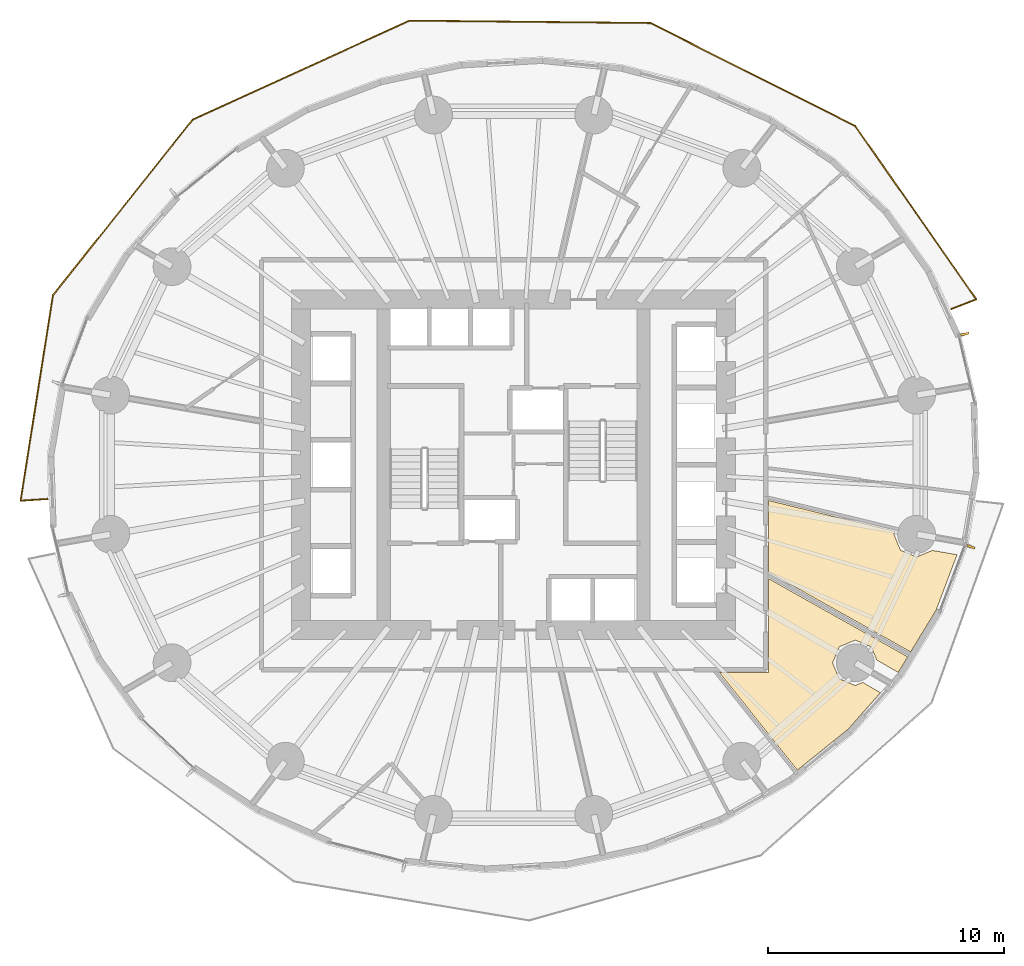
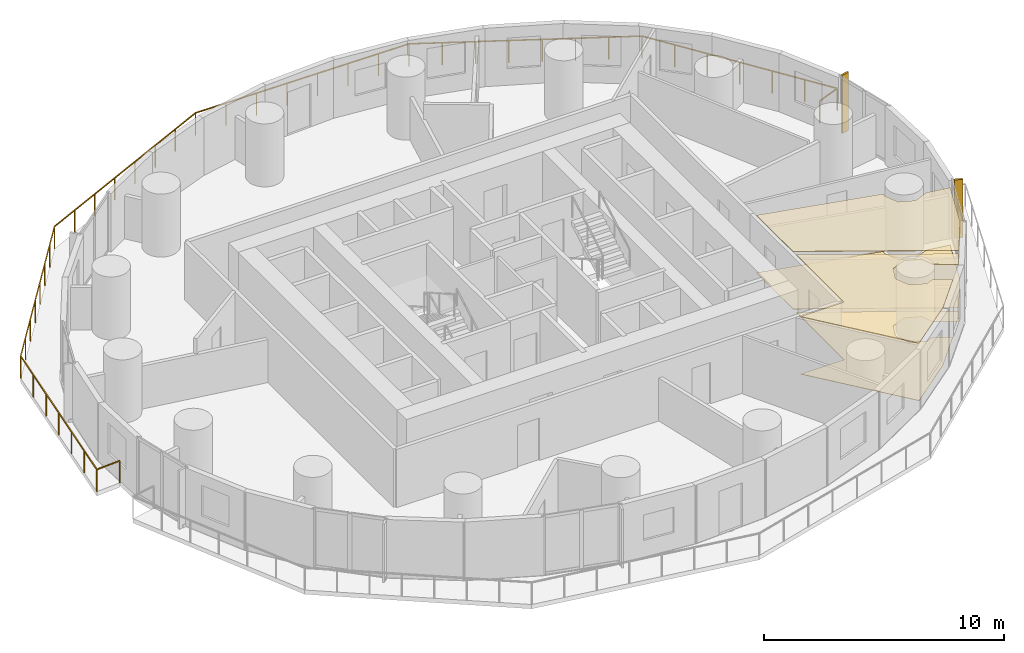
# One storey, part 14 of 14: 4 coverings, 2 shading devices, 1 railing.
"""IFC4 building model written with IfcOpenShell, lengths in metres."""

from ifc_helpers import new_model, si_unit, direction, frame, origin, origin_2d, place, context, subcontext, project, spatial, polyline, rectangle, outline, extrude, material, layer, layer_set, type_object, element, save


model = new_model("IFC4")

# Units and contexts
model_context = context("Model", 3, precision=1e-05, world=origin(), true_north=direction((0.0, 1.0)))
body_context = subcontext(model_context, "Body", "Model", "MODEL_VIEW")
ifc_project = project(units=[si_unit("LENGTHUNIT", "METRE"), si_unit("AREAUNIT", "SQUARE_METRE"), si_unit("VOLUMEUNIT", "CUBIC_METRE"), si_unit("PLANEANGLEUNIT", "RADIAN"), si_unit("MASSUNIT", "GRAM", prefix="KILO")], contexts=[model_context])

# Site, building, storey
site_placement = place(None, origin())
site = spatial("IfcSite", under=ifc_project, at=site_placement, CompositionType="ELEMENT")
building_placement = place(site_placement, origin())
building = spatial("IfcBuilding", under=site, at=building_placement, Name="Veldorim Arch Residences", CompositionType="ELEMENT")
storey_placement = place(building_placement, frame((0.0, 0.0, 40.800048828125)))
storey = spatial("IfcBuildingStorey", under=building, at=storey_placement, Name="L11", CompositionType="ELEMENT", Elevation=40.800048828125)

# Railing
ifc_material_1 = material(Name="Aluminium", Category="aluminium")
railing_type = type_object("IfcRailingType", Name="Balcony & Terrace Laminated Glass Balustrade 1150", PredefinedType="BALUSTRADE", material=ifc_material_1)
railing_placement = place(storey_placement, frame((50.525390625, 30.588134765625, 0.0)))
element("IfcRailing", 1, at=railing_placement, inside=storey, type_object=railing_type, Name="L11 crescent balcony safety balustrade A", PredefinedType="BALUSTRADE", context=body_context, shape_type="SweptSolid", body=[
    extrude(rectangle(XDim=0.048095703125, YDim=0.048095703125, at=origin_2d()), frame((0.0, 0.0, 1.1259765625), z_axis=(0.931433736777, 0.363910969874, 0.0), x_axis=(-0.363910969874, 0.931433736777, 0.0)), (0.0, 0.0, 1.0), 1.14990234375),
    extrude(rectangle(XDim=0.048095703125, YDim=0.048095703125, at=origin_2d()), frame((1.071044921875, 0.41845703125, 1.1259765625), z_axis=(-0.572673819905, 0.819783322589, 0.0), x_axis=(-0.819783322589, -0.572673819905, 0.0)), (0.0, 0.0, 1.0), 8.958984375),
    extrude(rectangle(XDim=0.048095703125, YDim=0.048095703125, at=origin_2d()), frame((-4.0595703125, 7.762939453125, 1.1259765625), z_axis=(-0.893514947869, 0.449033448569, 0.0), x_axis=(-0.449033448569, -0.893514947869, 0.0)), (0.0, 0.0, 1.0), 9.707763671875),
    extrude(rectangle(XDim=0.048095703125, YDim=0.048095703125, at=origin_2d()), frame((-12.733642578125, 12.1220703125, 1.1259765625), z_axis=(-0.999950400353, 0.009959760728, 0.0), x_axis=(-0.009959760728, -0.999950400353, 0.0)), (0.0, 0.0, 1.0), 10.197265625),
    extrude(rectangle(XDim=0.048095703125, YDim=0.048095703125, at=origin_2d()), frame((-22.930419921875, 12.2236328125, 1.1259765625), z_axis=(-0.909674311993, -0.415322339995, 0.0), x_axis=(0.415322339995, -0.909674311993, 0.0)), (0.0, 0.0, 1.0), 10.10498046875),
    extrude(rectangle(XDim=0.048095703125, YDim=0.048095703125, at=origin_2d()), frame((-32.12255859375, 8.02685546875, 1.1259765625), z_axis=(-0.622684493297, -0.782473016664, 0.0), x_axis=(0.782473016664, -0.622684493297, 0.0)), (0.0, 0.0, 1.0), 9.501953125),
    extrude(rectangle(XDim=0.048095703125, YDim=0.048095703125, at=origin_2d()), frame((-38.039306640625, 0.591796875, 1.1259765625), z_axis=(-0.155384980958, -0.98785399108, 0.0), x_axis=(0.98785399108, -0.155384980958, 0.0)), (0.0, 0.0, 1.0), 8.812744140625),
    extrude(rectangle(XDim=0.048095703125, YDim=0.048095703125, at=origin_2d()), frame((-39.40869140625, -8.114013671875, 1.1259765625), z_axis=(0.997929266712, 0.064320903598, 0.0), x_axis=(-0.064320903598, 0.997929266712, 0.0)), (0.0, 0.0, 1.0), 1.150146484375),
    extrude(rectangle(XDim=0.0419921875, YDim=0.0419921875, at=origin_2d()), origin(), (0.0, 0.0, 1.0), 1.101806640625),
    extrude(rectangle(XDim=0.0419921875, YDim=0.0419921875, at=origin_2d()), frame((1.071044921875, 0.41845703125, 0.0)), (0.0, 0.0, 1.0), 1.101806640625),
    extrude(rectangle(XDim=0.0419921875, YDim=0.0419921875, at=origin_2d()), frame((0.2158203125, 1.642578125, 0.0)), (0.0, 0.0, 1.0), 1.101806640625),
    extrude(rectangle(XDim=0.0419921875, YDim=0.0419921875, at=origin_2d()), frame((-0.63916015625, 2.86669921875, 0.0)), (0.0, 0.0, 1.0), 1.101806640625),
    extrude(rectangle(XDim=0.0419921875, YDim=0.0419921875, at=origin_2d()), frame((-1.494140625, 4.0908203125, 0.0)), (0.0, 0.0, 1.0), 1.101806640625),
    extrude(rectangle(XDim=0.0419921875, YDim=0.0419921875, at=origin_2d()), frame((-2.349365234375, 5.314697265625, 0.0)), (0.0, 0.0, 1.0), 1.101806640625),
    extrude(rectangle(XDim=0.0419921875, YDim=0.0419921875, at=origin_2d()), frame((-3.20458984375, 6.538818359375, 0.0)), (0.0, 0.0, 1.0), 1.101806640625),
    extrude(rectangle(XDim=0.0419921875, YDim=0.0419921875, at=origin_2d()), frame((-4.0595703125, 7.762939453125, 0.0)), (0.0, 0.0, 1.0), 1.101806640625),
    extrude(rectangle(XDim=0.0419921875, YDim=0.0419921875, at=origin_2d()), frame((-5.298828125, 8.3857421875, 0.0)), (0.0, 0.0, 1.0), 1.101806640625),
    extrude(rectangle(XDim=0.0419921875, YDim=0.0419921875, at=origin_2d()), frame((-6.537841796875, 9.00830078125, 0.0)), (0.0, 0.0, 1.0), 1.101806640625),
    extrude(rectangle(XDim=0.0419921875, YDim=0.0419921875, at=origin_2d()), frame((-7.777099609375, 9.631103515625, 0.0)), (0.0, 0.0, 1.0), 1.101806640625),
    extrude(rectangle(XDim=0.0419921875, YDim=0.0419921875, at=origin_2d()), frame((-9.01611328125, 10.25390625, 0.0)), (0.0, 0.0, 1.0), 1.101806640625),
    extrude(rectangle(XDim=0.0419921875, YDim=0.0419921875, at=origin_2d()), frame((-10.25537109375, 10.876708984375, 0.0)), (0.0, 0.0, 1.0), 1.101806640625),
    extrude(rectangle(XDim=0.0419921875, YDim=0.0419921875, at=origin_2d()), frame((-11.494384765625, 11.499267578125, 0.0)), (0.0, 0.0, 1.0), 1.101806640625),
    extrude(rectangle(XDim=0.0419921875, YDim=0.0419921875, at=origin_2d()), frame((-12.733642578125, 12.1220703125, 0.0)), (0.0, 0.0, 1.0), 1.101806640625),
    extrude(rectangle(XDim=0.0419921875, YDim=0.0419921875, at=origin_2d()), frame((-14.1904296875, 12.136474609375, 0.0)), (0.0, 0.0, 1.0), 1.101806640625),
    extrude(rectangle(XDim=0.0419921875, YDim=0.0419921875, at=origin_2d()), frame((-15.64697265625, 12.151123046875, 0.0)), (0.0, 0.0, 1.0), 1.101806640625),
    extrude(rectangle(XDim=0.0419921875, YDim=0.0419921875, at=origin_2d()), frame((-17.103759765625, 12.16552734375, 0.0)), (0.0, 0.0, 1.0), 1.101806640625),
    extrude(rectangle(XDim=0.0419921875, YDim=0.0419921875, at=origin_2d()), frame((-18.560302734375, 12.18017578125, 0.0)), (0.0, 0.0, 1.0), 1.101806640625),
    extrude(rectangle(XDim=0.0419921875, YDim=0.0419921875, at=origin_2d()), frame((-20.01708984375, 12.194580078125, 0.0)), (0.0, 0.0, 1.0), 1.101806640625),
    extrude(rectangle(XDim=0.0419921875, YDim=0.0419921875, at=origin_2d()), frame((-21.4736328125, 12.209228515625, 0.0)), (0.0, 0.0, 1.0), 1.101806640625),
    extrude(rectangle(XDim=0.0419921875, YDim=0.0419921875, at=origin_2d()), frame((-22.930419921875, 12.2236328125, 0.0)), (0.0, 0.0, 1.0), 1.101806640625),
    extrude(rectangle(XDim=0.0419921875, YDim=0.0419921875, at=origin_2d()), frame((-24.24365234375, 11.6240234375, 0.0)), (0.0, 0.0, 1.0), 1.101806640625),
    extrude(rectangle(XDim=0.0419921875, YDim=0.0419921875, at=origin_2d()), frame((-25.556640625, 11.024658203125, 0.0)), (0.0, 0.0, 1.0), 1.101806640625),
    extrude(rectangle(XDim=0.0419921875, YDim=0.0419921875, at=origin_2d()), frame((-26.869873046875, 10.425048828125, 0.0)), (0.0, 0.0, 1.0), 1.101806640625),
    extrude(rectangle(XDim=0.0419921875, YDim=0.0419921875, at=origin_2d()), frame((-28.18310546875, 9.825439453125, 0.0)), (0.0, 0.0, 1.0), 1.101806640625),
    extrude(rectangle(XDim=0.0419921875, YDim=0.0419921875, at=origin_2d()), frame((-29.496337890625, 9.225830078125, 0.0)), (0.0, 0.0, 1.0), 1.101806640625),
    extrude(rectangle(XDim=0.0419921875, YDim=0.0419921875, at=origin_2d()), frame((-30.809326171875, 8.62646484375, 0.0)), (0.0, 0.0, 1.0), 1.101806640625),
    extrude(rectangle(XDim=0.0419921875, YDim=0.0419921875, at=origin_2d()), frame((-32.12255859375, 8.02685546875, 0.0)), (0.0, 0.0, 1.0), 1.101806640625),
    extrude(rectangle(XDim=0.0419921875, YDim=0.0419921875, at=origin_2d()), frame((-32.9677734375, 6.964599609375, 0.0)), (0.0, 0.0, 1.0), 1.101806640625),
    extrude(rectangle(XDim=0.0419921875, YDim=0.0419921875, at=origin_2d()), frame((-33.81298828125, 5.902587890625, 0.0)), (0.0, 0.0, 1.0), 1.101806640625),
    extrude(rectangle(XDim=0.0419921875, YDim=0.0419921875, at=origin_2d()), frame((-34.658203125, 4.84033203125, 0.0)), (0.0, 0.0, 1.0), 1.101806640625),
    extrude(rectangle(XDim=0.0419921875, YDim=0.0419921875, at=origin_2d()), frame((-35.503662109375, 3.7783203125, 0.0)), (0.0, 0.0, 1.0), 1.101806640625),
    extrude(rectangle(XDim=0.0419921875, YDim=0.0419921875, at=origin_2d()), frame((-36.348876953125, 2.716064453125, 0.0)), (0.0, 0.0, 1.0), 1.101806640625),
    extrude(rectangle(XDim=0.0419921875, YDim=0.0419921875, at=origin_2d()), frame((-37.194091796875, 1.654052734375, 0.0)), (0.0, 0.0, 1.0), 1.101806640625),
    extrude(rectangle(XDim=0.0419921875, YDim=0.0419921875, at=origin_2d()), frame((-38.039306640625, 0.591796875, 0.0)), (0.0, 0.0, 1.0), 1.101806640625),
    extrude(rectangle(XDim=0.0419921875, YDim=0.0419921875, at=origin_2d()), frame((-38.267578125, -0.859130859375, 0.0)), (0.0, 0.0, 1.0), 1.101806640625),
    extrude(rectangle(XDim=0.0419921875, YDim=0.0419921875, at=origin_2d()), frame((-38.495849609375, -2.31005859375, 0.0)), (0.0, 0.0, 1.0), 1.101806640625),
    extrude(rectangle(XDim=0.0419921875, YDim=0.0419921875, at=origin_2d()), frame((-38.72412109375, -3.76123046875, 0.0)), (0.0, 0.0, 1.0), 1.101806640625),
    extrude(rectangle(XDim=0.0419921875, YDim=0.0419921875, at=origin_2d()), frame((-38.9521484375, -5.212158203125, 0.0)), (0.0, 0.0, 1.0), 1.101806640625),
    extrude(rectangle(XDim=0.0419921875, YDim=0.0419921875, at=origin_2d()), frame((-39.180419921875, -6.6630859375, 0.0)), (0.0, 0.0, 1.0), 1.101806640625),
    extrude(rectangle(XDim=0.0419921875, YDim=0.0419921875, at=origin_2d()), frame((-39.40869140625, -8.114013671875, 0.0)), (0.0, 0.0, 1.0), 1.101806640625),
    extrude(rectangle(XDim=0.0419921875, YDim=0.0419921875, at=origin_2d()), frame((-38.260986328125, -8.0400390625, 0.0)), (0.0, 0.0, 1.0), 1.101806640625),
])

# Coverings
ifc_material_2 = material(Name="Acoustic Gypsum & Mineral Fibre", Category="gypsum")
ifc_layer_1 = layer(ifc_material_2, 0.034912109375, Name="Perforated Acoustic Mineral-Fibre Ceiling 35")
ifc_layer_set_1 = layer_set([ifc_layer_1], Name="Acoustic Gypsum & Mineral Fibre")
covering_type_1 = type_object("IfcCoveringType", Name="Perforated Acoustic Mineral-Fibre Ceiling 35", PredefinedType="CEILING", material=ifc_layer_set_1)
covering_1_placement = place(storey_placement, frame((0.0, 0.0, 2.905029296875)))
element("IfcCovering", 2, at=covering_1_placement, inside=storey, type_object=covering_type_1, Name="L11 acoustic suspended ceiling 01", PredefinedType="CEILING", context=body_context, shape_type="SweptSolid", body=[
    extrude(outline(polyline([(49.065673828125, 20.09423828125), (49.73291015625, 20.37060546875), (50.779296875, 20.18994140625), (49.89501953125, 17.84521484375), (48.8154296875, 16.070556640625), (42.800048828125, 19.44873046875), (42.800048828125, 22.48291015625), (48.157470703125, 21.178955078125), (48.105712890625, 21.05419921875), (48.386962890625, 20.37548828125), (49.065673828125, 20.09423828125)])), origin(), (0.0, 0.0, 1.0), 0.034912109375),
])
covering_2_placement = place(storey_placement, frame((0.0, 0.0, 2.905029296875)))
element("IfcCovering", 3, at=covering_2_placement, inside=storey, type_object=covering_type_1, Name="L11 acoustic suspended ceiling 02", PredefinedType="CEILING", context=body_context, shape_type="SweptSolid", body=[
    extrude(outline(polyline([(47.146240234375, 16.28955078125), (46.467529296875, 16.57080078125), (45.788818359375, 16.28955078125), (45.5078125, 15.61083984375), (45.788818359375, 14.93212890625), (46.467529296875, 14.65087890625), (46.781982421875, 14.78125), (47.53369140625, 14.345458984375), (46.169921875, 12.801513671875), (44.016357421875, 11.06591796875), (40.71533203125, 15.199951171875), (42.800048828125, 15.199951171875), (42.800048828125, 19.173583984375), (48.690673828125, 15.865478515625), (48.28759765625, 15.202880859375), (47.3779296875, 15.730224609375), (47.146240234375, 16.28955078125)])), origin(), (0.0, 0.0, 1.0), 0.034912109375),
])
ifc_material_3 = material(Name="Porcelain Ceramic Tile", Category="ceramic")
ifc_layer_2 = layer(ifc_material_3, 0.02001953125, Name="Slip-Resistant Porcelain & Vinyl Floor Finish 20")
ifc_layer_set_2 = layer_set([ifc_layer_2], Name="Porcelain Ceramic Tile")
covering_type_2 = type_object("IfcCoveringType", Name="Slip-Resistant Porcelain & Vinyl Floor Finish 20", PredefinedType="FLOORING", material=ifc_layer_set_2)
covering_3_placement = place(storey_placement, origin())
element("IfcCovering", 4, at=covering_3_placement, inside=storey, type_object=covering_type_2, Name="L11 porcelain floor finish 01", PredefinedType="FLOORING", context=body_context, shape_type="SweptSolid", body=[
    extrude(outline(polyline([(49.065673828125, 20.09423828125), (49.73291015625, 20.37060546875), (50.779296875, 20.18994140625), (49.89501953125, 17.84521484375), (48.8154296875, 16.070556640625), (42.800048828125, 19.44873046875), (42.800048828125, 22.48291015625), (48.157470703125, 21.178955078125), (48.105712890625, 21.05419921875), (48.386962890625, 20.37548828125), (49.065673828125, 20.09423828125)])), origin(), (0.0, 0.0, 1.0), 0.02001953125),
])
covering_4_placement = place(storey_placement, origin())
element("IfcCovering", 5, at=covering_4_placement, inside=storey, type_object=covering_type_2, Name="L11 porcelain floor finish 02", PredefinedType="FLOORING", context=body_context, shape_type="SweptSolid", body=[
    extrude(outline(polyline([(47.146240234375, 16.28955078125), (46.467529296875, 16.57080078125), (45.788818359375, 16.28955078125), (45.5078125, 15.61083984375), (45.788818359375, 14.93212890625), (46.467529296875, 14.65087890625), (46.781982421875, 14.78125), (47.53369140625, 14.345458984375), (46.169921875, 12.801513671875), (44.016357421875, 11.06591796875), (40.71533203125, 15.199951171875), (42.800048828125, 15.199951171875), (42.800048828125, 19.173583984375), (48.690673828125, 15.865478515625), (48.28759765625, 15.202880859375), (47.3779296875, 15.730224609375), (47.146240234375, 16.28955078125)])), origin(), (0.0, 0.0, 1.0), 0.02001953125),
])

# Shading devices
ifc_material_4 = material(Name="Terracotta Ceramic", Category="masonry")
ifc_layer_3 = layer(ifc_material_4, 0.090087890625, Name="Vertical Extruded Terracotta Baguette Sun-Shading Fin")
ifc_layer_set_3 = layer_set([ifc_layer_3], Name="Terracotta Ceramic")
shading_device_type = type_object("IfcShadingDeviceType", Name="Vertical Extruded Terracotta Baguette Sun-Shading Fin", PredefinedType="USERDEFINED", material=ifc_layer_set_3)
for number, where, z_axis, x_axis, name in (
    (6, (51.112060546875, 29.5341796875, 0.0), (0.0, 0.0, 1.0), (0.230219585439, -0.973138706701, 0.0), "L11 vertical terracotta sun-shading fin 01"),
    (7, (51.367919921875, 20.525146484375, 0.0), (0.0, 0.0, 1.0), (-0.352984997999, -0.935628981588, 0.0), "L11 vertical terracotta sun-shading fin 34"),
):
    element("IfcShadingDevice", number, at=place(storey_placement, frame(where, z_axis=z_axis, x_axis=x_axis)), inside=storey, type_object=shading_device_type, Name=name, ObjectType="FIN", PredefinedType="USERDEFINED", context=body_context, shape_type="SweptSolid", body=[
        extrude(rectangle(XDim=0.090087890625, YDim=0.360107421875, at=origin_2d()), origin(), (0.0, 0.0, 1.0), 2.9599609375),
    ])

save(model, "model.ifc")
